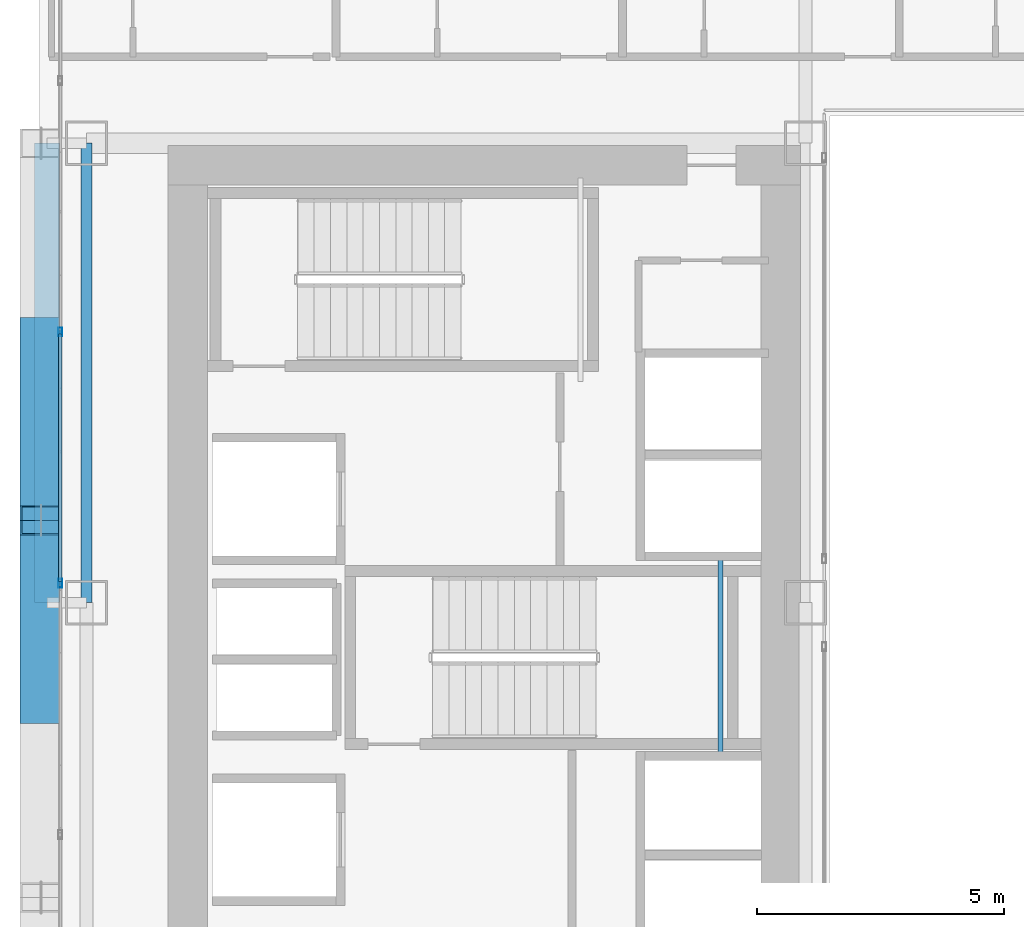
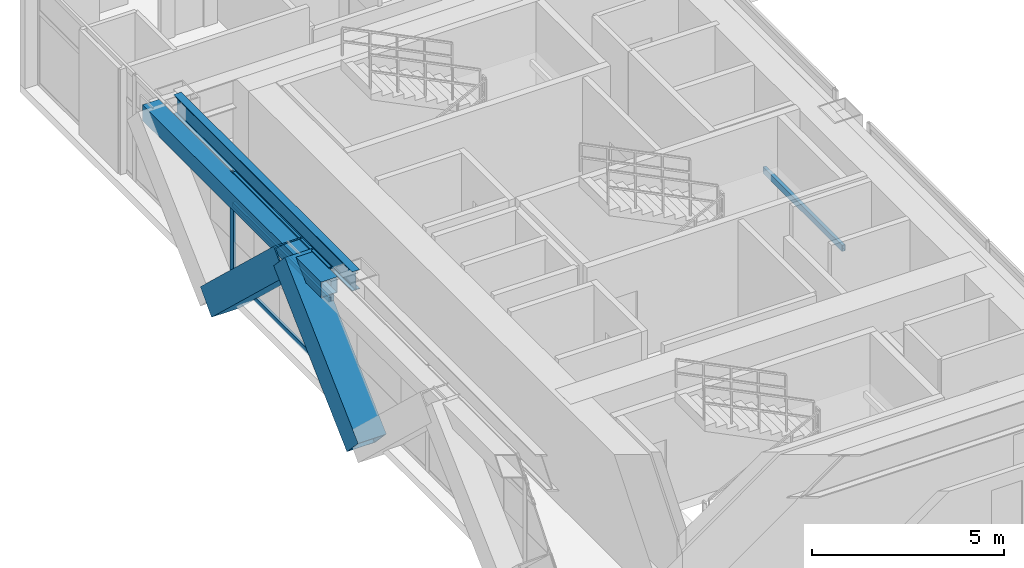
# One storey, part 9 of 41: 7 members, 3 beams, 1 element without a shape of its own.
"""IFC4 building model written with IfcOpenShell, lengths in metres."""

import ifcopenshell
import ifcopenshell.guid

model = None  # the IFC model being written
_history = None  # IfcOwnerHistory: only IFC2X3 demands one
_inside = {}  # id of a spatial element -> (the spatial element, [elements in it])
_under = {}  # id of a project, library or spatial element -> (it, [spatial elements below it])
_declared = {}  # id of a project -> (the project, [libraries it declares])
_typed = {}  # id of a type object -> (the type object, [elements of that type])
_made_of = {}  # id of a material, layer set ... -> (it, [elements and type objects made of it])


def new_model(schema):
    """Start an empty IFC model of exactly this schema.

    Asked for "IFC4X3", IfcOpenShell would pick the latest addendum, in which some entities
    have other attributes; the version numbers below select the first issue.
    IFC2X3 requires an IfcOwnerHistory on every rooted entity: one is made here for all.
    """
    global model, _history
    if schema == "IFC4X3":
        model = ifcopenshell.file(schema_version=(4, 3, 0, 0))
    else:
        model = ifcopenshell.file(schema=schema)
    _inside.clear()
    _under.clear()
    _declared.clear()
    _typed.clear()
    _made_of.clear()
    _history = None
    if model.schema == "IFC2X3":
        org = make("IfcOrganization", Name="unknown")
        user = make(
            "IfcPersonAndOrganization",
            ThePerson=make("IfcPerson", FamilyName="unknown"),
            TheOrganization=org,
        )
        app = make(
            "IfcApplication",
            ApplicationDeveloper=org,
            Version="unknown",
            ApplicationFullName="unknown",
            ApplicationIdentifier="unknown",
        )
        _history = make(
            "IfcOwnerHistory",
            OwningUser=user,
            OwningApplication=app,
            ChangeAction="ADDED",
            CreationDate=0,
        )
    return model


def make(cls, **values):
    """One entity of the class cls with the attributes given. An attribute that is None is left unset."""
    return model.create_entity(
        cls, **{name: value for name, value in values.items() if value is not None}
    )


def rooted(cls, **values):
    """An entity with a GlobalId (a new one), such as an element, a storey or a relation."""
    return make(cls, GlobalId=ifcopenshell.guid.new(), OwnerHistory=_history, **values)


def si_unit(unit_type, name, prefix=None):
    """IfcSIUnit, for example si_unit("LENGTHUNIT", "METRE", prefix="MILLI")."""
    return make("IfcSIUnit", UnitType=unit_type, Prefix=prefix, Name=name)


def assignment(units):
    """IfcUnitAssignment: the units of a project."""
    return None if units is None else make("IfcUnitAssignment", Units=units)


def point(xyz):
    """IfcCartesianPoint."""
    return None if xyz is None else make("IfcCartesianPoint", Coordinates=xyz)


def direction(xyz):
    """IfcDirection."""
    return None if xyz is None else make("IfcDirection", DirectionRatios=xyz)


def frame(location, z_axis=None, x_axis=None):
    """IfcAxis2Placement3D, a coordinate frame: its origin and axes. An axis left out is left unset."""
    return make(
        "IfcAxis2Placement3D",
        Location=point(location),
        Axis=direction(z_axis),
        RefDirection=direction(x_axis),
    )


def frame_2d(location, x_axis=None):
    """IfcAxis2Placement2D, a coordinate frame in the plane: its origin and x axis."""
    return make(
        "IfcAxis2Placement2D", Location=point(location), RefDirection=direction(x_axis)
    )


def origin():
    """The frame at (0, 0, 0) with its axes left unset."""
    return frame((0.0, 0.0, 0.0))


def origin_2d():
    """The frame at (0, 0) in the plane with its x axis left unset."""
    return frame_2d((0.0, 0.0))


def place(relative_to, where):
    """IfcLocalPlacement: puts the frame where relative to a parent placement (None: the world)."""
    return make(
        "IfcLocalPlacement", PlacementRelTo=relative_to, RelativePlacement=where
    )


def context(
    kind, dimensions, precision=None, world=None, true_north=None, identifier=None
):
    """IfcGeometricRepresentationContext, for example the 3D "Model" context."""
    return make(
        "IfcGeometricRepresentationContext",
        ContextIdentifier=identifier,
        ContextType=kind,
        CoordinateSpaceDimension=dimensions,
        Precision=precision,
        WorldCoordinateSystem=world,
        TrueNorth=true_north,
    )


def subcontext(parent, identifier, kind, view, scale=None):
    """IfcGeometricRepresentationSubContext, for example "Body" below "Model"."""
    return make(
        "IfcGeometricRepresentationSubContext",
        ContextIdentifier=identifier,
        ContextType=kind,
        ParentContext=parent,
        TargetScale=scale,
        TargetView=view,
    )


def project(units=None, contexts=None):
    """IfcProject with its units and contexts."""
    return rooted(
        "IfcProject",
        Name="project",
        RepresentationContexts=contexts,
        UnitsInContext=assignment(units),
    )


def spatial(cls, under=None, at=None, **own):
    """A site, building, storey or space (cls), placed at a placement, below another one or the project."""
    s = rooted(cls, ObjectPlacement=at, **own)
    if under is not None:
        _under.setdefault(under.id(), (under, []))[1].append(s)
    return s


def profile(cls, at=None, kind="AREA", **sizes):
    """A parametric profile (cls). Its sizes go by their IFC names, for example OverallWidth=200.0."""
    return make(cls, ProfileType=kind, Position=at, **sizes)


def hollow_rectangle(**sizes):
    """IfcRectangleHollowProfileDef."""
    return profile("IfcRectangleHollowProfileDef", **sizes)


def i_section(**sizes):
    """IfcIShapeProfileDef."""
    return profile("IfcIShapeProfileDef", **sizes)


def extrude(swept, where, along, depth):
    """IfcExtrudedAreaSolid: the profile swept, set in the frame where, extruded along a direction by depth."""
    return make(
        "IfcExtrudedAreaSolid",
        SweptArea=swept,
        Position=where,
        ExtrudedDirection=direction(along),
        Depth=depth,
    )


def shape(context_of_items, identifier, shape_type, items):
    """IfcShapeRepresentation: the items that make up one representation, for example the "Body"."""
    return make(
        "IfcShapeRepresentation",
        ContextOfItems=context_of_items,
        RepresentationIdentifier=identifier,
        RepresentationType=shape_type,
        Items=items,
    )


def source(mapping_origin, context_of_items, identifier, shape_type, items):
    """IfcRepresentationMap: a shape defined once, which mapped items show again and again."""
    return make(
        "IfcRepresentationMap",
        MappingOrigin=mapping_origin,
        MappedRepresentation=shape(context_of_items, identifier, shape_type, items),
    )


def transform(
    local_origin,
    x_axis=None,
    y_axis=None,
    z_axis=None,
    scale=None,
    scale2=None,
    scale3=None,
    uniform=True,
):
    """IfcCartesianTransformationOperator3D, or its non-uniform kind. x_axis, y_axis, z_axis: its Axis1, 2, 3."""
    if uniform:
        return make(
            "IfcCartesianTransformationOperator3D",
            Axis1=direction(x_axis),
            Axis2=direction(y_axis),
            LocalOrigin=point(local_origin),
            Scale=scale,
            Axis3=direction(z_axis),
        )
    return make(
        "IfcCartesianTransformationOperator3DnonUniform",
        Axis1=direction(x_axis),
        Axis2=direction(y_axis),
        LocalOrigin=point(local_origin),
        Scale=scale,
        Axis3=direction(z_axis),
        Scale2=scale2,
        Scale3=scale3,
    )


def mapped(mapping_source, mapping_target):
    """IfcMappedItem: shows the shape of a source again, moved by a transform."""
    return make(
        "IfcMappedItem", MappingSource=mapping_source, MappingTarget=mapping_target
    )


def material(Name=None, Category=None):
    """IfcMaterial."""
    return make("IfcMaterial", Name=Name, Category=Category)


def layer(
    of_material, thickness, ventilated=None, Name=None, Category=None, Priority=None
):
    """IfcMaterialLayer: one layer of a wall or slab, of a material (None: an air gap)."""
    return make(
        "IfcMaterialLayer",
        Material=of_material,
        LayerThickness=thickness,
        IsVentilated=ventilated,
        Name=Name,
        Category=Category,
        Priority=Priority,
    )


def layer_set(layers, Name=None):
    """IfcMaterialLayerSet."""
    return make("IfcMaterialLayerSet", MaterialLayers=layers, LayerSetName=Name)


def material_profile(
    of_material, cross_section, Name=None, Category=None, Priority=None
):
    """IfcMaterialProfile: a cross section and its material."""
    return make(
        "IfcMaterialProfile",
        Name=Name,
        Material=of_material,
        Profile=cross_section,
        Priority=Priority,
        Category=Category,
    )


def profile_set(profiles, Name=None, composite=None):
    """IfcMaterialProfileSet."""
    return make(
        "IfcMaterialProfileSet",
        Name=Name,
        MaterialProfiles=profiles,
        CompositeProfile=composite,
    )


def made_of(thing, what):
    """Note that an element or type object is made of a material, layer set ...; save() writes the relation."""
    if what is not None:
        _made_of.setdefault(what.id(), (what, []))[1].append(thing)
    return thing


def type_object(cls, material=None, **own):
    """A type object (cls), such as IfcWallType, which elements share."""
    return made_of(rooted(cls, **own), material)


def element(
    cls,
    number,
    at=None,
    inside=None,
    cuts=None,
    type_object=None,
    material=None,
    context=None,
    identifier="Body",
    shape_type=None,
    held_by="IfcProductDefinitionShape",
    body=None,
    shapes=None,
    **own,
):
    """One element of the class cls, such as IfcWall. Its Tag is "e" and its number.

    at: its placement. inside: the storey or other place that contains it. cuts: it is an
    opening in that element (IfcRelVoidsElement). A single representation is given by context,
    identifier, shape_type and body (its items); several are given by shapes. held_by: the class
    of the entity that holds the representations. save() writes the other relations.
    """
    e = rooted(cls, Tag="e%d" % number, ObjectPlacement=at, **own)
    if body is not None:
        shapes = [shape(context, identifier, shape_type, body)]
    if shapes is not None:
        e.Representation = make(held_by, Representations=shapes)
    if inside is not None:
        _inside.setdefault(inside.id(), (inside, []))[1].append(e)
    if cuts is not None:
        rooted(
            "IfcRelVoidsElement", RelatingBuildingElement=cuts, RelatedOpeningElement=e
        )
    if type_object is not None:
        _typed.setdefault(type_object.id(), (type_object, []))[1].append(e)
    return made_of(e, material)


def aggregate(whole, parts):
    """IfcRelAggregates: a whole, such as a stair, and the parts it consists of."""
    return rooted("IfcRelAggregates", RelatingObject=whole, RelatedObjects=parts)


def save(model, path):
    """Write the relations noted so far, then the file.

    IfcRelAggregates (storeys below a building ...), IfcRelContainedInSpatialStructure (elements
    in a storey), IfcRelDefinesByType, IfcRelAssociatesMaterial and IfcRelDeclares: one each for
    every whole, place, type object, material and project.
    """
    for whole, parts in _under.values():
        aggregate(whole, parts)
    for where, things in _inside.values():
        rooted(
            "IfcRelContainedInSpatialStructure",
            RelatedElements=things,
            RelatingStructure=where,
        )
    for kind, things in _typed.values():
        rooted("IfcRelDefinesByType", RelatedObjects=things, RelatingType=kind)
    for what, things in _made_of.values():
        rooted("IfcRelAssociatesMaterial", RelatedObjects=things, RelatingMaterial=what)
    for by, libraries in _declared.values():
        rooted("IfcRelDeclares", RelatingContext=by, RelatedDefinitions=libraries)
    model.write(path)


model = new_model("IFC4")

# Units and contexts
model_context = context("Model", 3, precision=1e-05, world=origin(), true_north=direction((0.0, 1.0)))
body_context = subcontext(model_context, "Body", "Model", "MODEL_VIEW")
ifc_project = project(units=[si_unit("LENGTHUNIT", "METRE"), si_unit("AREAUNIT", "SQUARE_METRE"), si_unit("VOLUMEUNIT", "CUBIC_METRE"), si_unit("PLANEANGLEUNIT", "RADIAN"), si_unit("MASSUNIT", "GRAM", prefix="KILO")], contexts=[model_context])

# Site, building, storey
site_placement = place(None, origin())
site = spatial("IfcSite", under=ifc_project, at=site_placement, CompositionType="ELEMENT")
building_placement = place(site_placement, origin())
building = spatial("IfcBuilding", under=site, at=building_placement, Name="Ocotamira Hotel", CompositionType="ELEMENT")
storey_placement = place(building_placement, frame((0.0, 0.0, 52.800048828125)))
storey = spatial("IfcBuildingStorey", under=building, at=storey_placement, Name="L12", CompositionType="ELEMENT", Elevation=52.800048828125)

# Beams
ifc_material_1 = material(Name="Steel ASTM A500 Grade C", Category="steel")
ifc_material_profile_1 = material_profile(ifc_material_1, hollow_rectangle(XDim=0.10009765625, YDim=0.199951171875, WallThickness=0.008056640625, at=origin_2d()), Name="HSS200X100X8")
ifc_profile_set_1 = profile_set([ifc_material_profile_1], Name="Steel ASTM A500 Grade C")
beam_type_1 = type_object("IfcBeamType", Name="BM-STLDG-HSS200", PredefinedType="BEAM", material=ifc_profile_set_1)
shared_shape_1 = source(origin(), body_context, "Body", "SweptSolid", [
    extrude(hollow_rectangle(XDim=0.10009765625, YDim=0.199951171875, WallThickness=0.008056640625, at=origin_2d()), origin(), (0.0, 0.0, 1.0), 4.1201171875),
])
beam_1_placement = place(storey_placement, frame((21.780029296875, 24.97998046875, 1.5), z_axis=(0.0, 1.0, 0.0), x_axis=(-1.0, 0.0, 0.0)))
element("IfcBeam", 1, at=beam_1_placement, inside=storey, type_object=beam_type_1, Name="L12 Stair ST-3 Landing Bearer 1", PredefinedType="BEAM", context=body_context, shape_type="MappedRepresentation", body=[
    mapped(shared_shape_1, transform((0.0, 0.0, 0.0), scale=1.0)),
])
ifc_material_2 = material(Name="Steel ASTM A992 Grade 50", Category="steel")
ifc_material_profile_2 = material_profile(ifc_material_2, i_section(OverallWidth=0.22998046875, OverallDepth=0.616943359375, WebThickness=0.01318359375, FlangeThickness=0.022216796875, FilletRadius=0.012939453125, at=origin_2d()), Name="W24X94")
ifc_profile_set_2 = profile_set([ifc_material_profile_2], Name="Steel ASTM A992 Grade 50")
beam_type_2 = type_object("IfcBeamType", Name="BM-PRIM-W24X94", PredefinedType="BEAM", material=ifc_profile_set_2)
shared_shape_2 = source(origin(), body_context, "Body", "SweptSolid", [
    extrude(i_section(OverallWidth=0.22998046875, OverallDepth=0.616943359375, WebThickness=0.01318359375, FlangeThickness=0.022216796875, FilletRadius=0.012939453125, at=origin_2d()), origin(), (0.0, 0.0, 1.0), 9.300048828125),
])
beam_2_placement = place(storey_placement, frame((8.949951171875, 28.14990234375, 3.04150390625), z_axis=(0.0, 1.0, 0.0), x_axis=(-1.0, 0.0, 0.0)))
element("IfcBeam", 2, at=beam_2_placement, inside=storey, type_object=beam_type_2, Name="L12 Beam X8.95 Y28.15-37.45", PredefinedType="BEAM", context=body_context, shape_type="MappedRepresentation", body=[
    mapped(shared_shape_2, transform((0.0, 0.0, 0.0), scale=1.0)),
])
ifc_material_profile_3 = material_profile(ifc_material_1, hollow_rectangle(XDim=0.5, YDim=0.5, WallThickness=0.02001953125, at=origin_2d()), Name="HSS500X500X20")
ifc_profile_set_3 = profile_set([ifc_material_profile_3], Name="Steel ASTM A500 Grade C")
beam_type_3 = type_object("IfcBeamType", Name="BM-SPAN-HSS500", PredefinedType="USERDEFINED", material=ifc_profile_set_3)
shared_shape_3 = source(origin(), body_context, "Body", "SweptSolid", [
    extrude(hollow_rectangle(XDim=0.5, YDim=0.5, WallThickness=0.02001953125, at=origin_2d()), origin(), (0.0, 0.0, 1.0), 9.300048828125),
])
beam_3_placement = place(storey_placement, frame((8.14990234375, 28.14990234375, 3.099853515625), z_axis=(0.0, 1.0, 0.0), x_axis=(-1.0, 0.0, 0.0)))
element("IfcBeam", 3, at=beam_3_placement, inside=storey, type_object=beam_type_3, Name="L12 Edge Spandrel W Y28.15-37.45", ObjectType="SPANDREL", PredefinedType="USERDEFINED", context=body_context, shape_type="MappedRepresentation", body=[
    mapped(shared_shape_3, transform((0.0, 0.0, 0.0), scale=1.0)),
])

# Members
ifc_material_3 = material(Name="Pale-metal coated steel ASTM A913 Grade 65", Category="steel")
ifc_material_profile_4 = material_profile(ifc_material_3, hollow_rectangle(XDim=0.85009765625, YDim=0.85009765625, WallThickness=0.035888671875, at=origin_2d()), Name="BOX850X850X36")
ifc_profile_set_4 = profile_set([ifc_material_profile_4], Name="Pale-metal coated steel ASTM A913 Grade 65")
member_type_1 = type_object("IfcMemberType", Name="MEM-EXO-BOX850", PredefinedType="BRACE", material=ifc_profile_set_4)
shared_shape_4 = source(origin(), body_context, "Body", "SweptSolid", [
    extrude(hollow_rectangle(XDim=0.85009765625, YDim=0.85009765625, WallThickness=0.035888671875, at=origin_2d()), origin(), (0.0, 0.0, 1.0), 5.24658203125),
])
for number, where, z_axis, x_axis, name in (
    (4, (8.030029296875, 26.0, -0.5), (0.0, 0.72746596067, 0.686143772154), (-1.0, 0.0, 0.0), "L12 Exoskeleton Diagrid W1.2"),
    (5, (8.030029296875, 33.63330078125, -0.5), (0.0, -0.72746596067, 0.686143772154), (1.0, 0.0, 0.0), "L12 Exoskeleton Diagrid W2.1"),
):
    element("IfcMember", number, at=place(storey_placement, frame(where, z_axis=z_axis, x_axis=x_axis)), inside=storey, type_object=member_type_1, Name=name, PredefinedType="BRACE", context=body_context, shape_type="MappedRepresentation", body=[
        mapped(shared_shape_4, transform((0.0, 0.0, 0.0), scale=1.0)),
    ])

# Curtain wall, members
ifc_material_4 = material(Name="Anodised pale-metal aluminium and solar glass", Category="aluminium")
ifc_layer = layer(ifc_material_4, 0.179931640625)
ifc_layer_set = layer_set([ifc_layer], Name="Anodised pale-metal aluminium and solar glass")
curtain_wall_type = type_object("IfcCurtainWallType", Name="CW-SYS2-Z1", PredefinedType="NOTDEFINED", material=ifc_layer_set)
curtain_wall_placement = place(storey_placement, origin())
curtain_wall = element("IfcCurtainWall", 6, at=curtain_wall_placement, inside=storey, type_object=curtain_wall_type, Name="L12 Curtain Wall CW-2 CW-L12-W", PredefinedType="NOTDEFINED")
ifc_material_5 = material(Name="Anodised pale-metal aluminium 6063-T6", Category="aluminium")
ifc_material_profile_5 = material_profile(ifc_material_5, hollow_rectangle(XDim=0.080078125, YDim=0.179931640625, WallThickness=0.006103515625, at=origin_2d()), Name="HSS180X80X6")
ifc_profile_set_5 = profile_set([ifc_material_profile_5], Name="Anodised pale-metal aluminium 6063-T6")
member_type_2 = type_object("IfcMemberType", Name="CWM-180X75", PredefinedType="MULLION", material=ifc_profile_set_5)
shared_shape_5 = source(origin(), body_context, "Body", "SweptSolid", [
    extrude(hollow_rectangle(XDim=0.080078125, YDim=0.179931640625, WallThickness=0.006103515625, at=origin_2d()), origin(), (0.0, 0.0, 1.0), 3.349853515625),
])
member_1_placement = place(storey_placement, frame((8.419921875, 28.54296875, 0.0), z_axis=(0.0, 0.0, 1.0), x_axis=(-1.0, 0.0, 0.0)))
member_1 = element("IfcMember", 7, at=member_1_placement, type_object=member_type_2, Name="CW-2 mullion 5", PredefinedType="MULLION", context=body_context, shape_type="MappedRepresentation", body=[
    mapped(shared_shape_5, transform((0.0, 0.0, 0.0), scale=1.0)),
])
member_2_placement = place(storey_placement, frame((8.419921875, 33.628662109375, 0.0), z_axis=(0.0, 0.0, 1.0), x_axis=(-1.0, 0.0, 0.0)))
member_2 = element("IfcMember", 8, at=member_2_placement, type_object=member_type_2, Name="CW-2 mullion 6", PredefinedType="MULLION", context=body_context, shape_type="MappedRepresentation", body=[
    mapped(shared_shape_5, transform((0.0, 0.0, 0.0), scale=1.0)),
])
ifc_material_profile_6 = material_profile(ifc_material_5, hollow_rectangle(XDim=0.074951171875, YDim=0.14990234375, WallThickness=0.006103515625, at=origin_2d()), Name="HSS150X75X6")
ifc_profile_set_6 = profile_set([ifc_material_profile_6], Name="Anodised pale-metal aluminium 6063-T6")
member_type_3 = type_object("IfcMemberType", Name="CWT-150X75", PredefinedType="USERDEFINED", material=ifc_profile_set_6)
shared_shape_6 = source(origin(), body_context, "Body", "SweptSolid", [
    extrude(hollow_rectangle(XDim=0.074951171875, YDim=0.14990234375, WallThickness=0.006103515625, at=origin_2d()), origin(), (0.0, 0.0, 1.0), 5.005859375),
])
member_3_placement = place(storey_placement, frame((8.419921875, 28.582763671875, 0.037353515625), z_axis=(0.0, 1.0, 0.0), x_axis=(-1.0, 0.0, 0.0)))
member_3 = element("IfcMember", 9, at=member_3_placement, type_object=member_type_3, Name="CW-2 transom 5.1", ObjectType="TRANSOM", PredefinedType="USERDEFINED", context=body_context, shape_type="MappedRepresentation", body=[
    mapped(shared_shape_6, transform((0.0, 0.0, 0.0), scale=1.0)),
])
member_4_placement = place(storey_placement, frame((8.419921875, 28.582763671875, 2.349853515625), z_axis=(0.0, 1.0, 0.0), x_axis=(-1.0, 0.0, 0.0)))
member_4 = element("IfcMember", 10, at=member_4_placement, type_object=member_type_3, Name="CW-2 transom 5.2", ObjectType="TRANSOM", PredefinedType="USERDEFINED", context=body_context, shape_type="MappedRepresentation", body=[
    mapped(shared_shape_6, transform((0.0, 0.0, 0.0), scale=1.0)),
])
member_5_placement = place(storey_placement, frame((8.419921875, 28.582763671875, 3.3125), z_axis=(0.0, 1.0, 0.0), x_axis=(-1.0, 0.0, 0.0)))
member_5 = element("IfcMember", 11, at=member_5_placement, type_object=member_type_3, Name="CW-2 transom 5.3", ObjectType="TRANSOM", PredefinedType="USERDEFINED", context=body_context, shape_type="MappedRepresentation", body=[
    mapped(shared_shape_6, transform((0.0, 0.0, 0.0), scale=1.0)),
])
aggregate(curtain_wall, [member_1, member_2, member_3, member_4, member_5])

save(model, "model.ifc")
